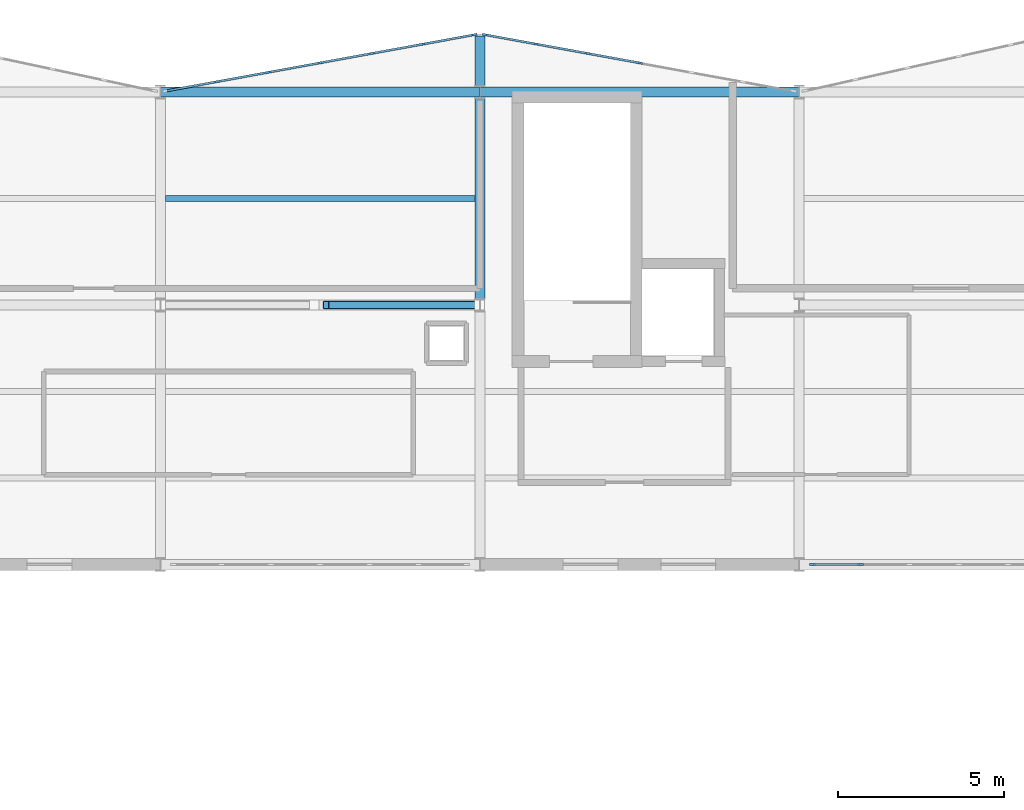
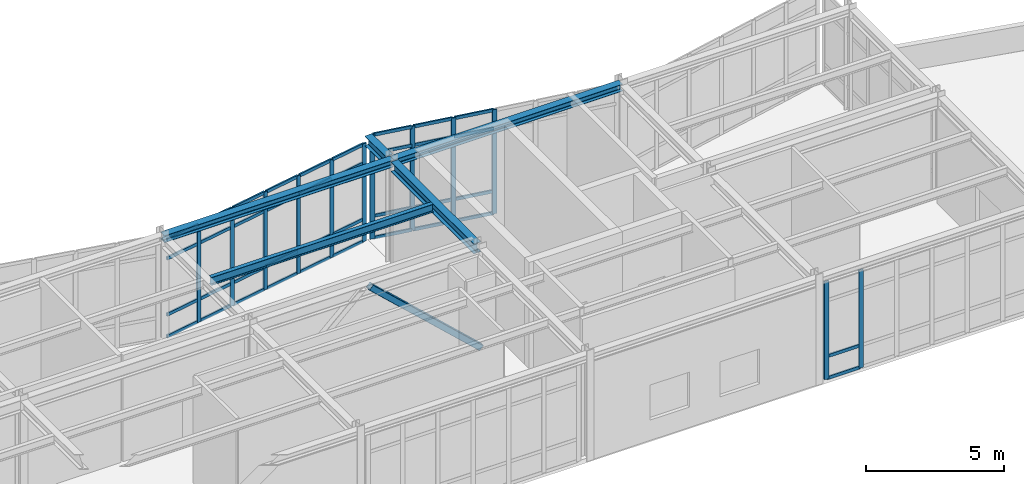
# One storey, part 13 of 28: 51 members, 5 beams, 3 elements without a shape of their own.
"""IFC4 building model written with IfcOpenShell, lengths in metres."""

from ifc_helpers import new_model, si_unit, direction, frame, origin, origin_2d, place, context, subcontext, project, spatial, rectangle, hollow_rectangle, i_section, extrude, material, layer, layer_set, material_profile, profile_set, type_object, element, aggregate, save


model = new_model("IFC4")

# Units and contexts
model_context = context("Model", 3, precision=1e-05, world=origin(), true_north=direction((0.0, 1.0)))
body_context = subcontext(model_context, "Body", "Model", "MODEL_VIEW")
ifc_project = project(units=[si_unit("LENGTHUNIT", "METRE"), si_unit("AREAUNIT", "SQUARE_METRE"), si_unit("VOLUMEUNIT", "CUBIC_METRE"), si_unit("PLANEANGLEUNIT", "RADIAN"), si_unit("MASSUNIT", "GRAM", prefix="KILO")], contexts=[model_context])

# Site, building, storey
site_placement = place(None, origin())
site = spatial("IfcSite", under=ifc_project, at=site_placement, CompositionType="ELEMENT")
building_placement = place(site_placement, origin())
building = spatial("IfcBuilding", under=site, at=building_placement, Name="Nordkorset Police Headquarters", CompositionType="ELEMENT")
storey_placement = place(building_placement, frame((0.0, 0.0, 26.25)))
storey = spatial("IfcBuildingStorey", under=building, at=storey_placement, Name="L06", CompositionType="ELEMENT", Elevation=26.25)

# Beam
ifc_material_1 = material(Name="Steel S355J2", Category="steel")
ifc_material_profile_1 = material_profile(ifc_material_1, i_section(OverallWidth=0.169921875, OverallDepth=0.360107421875, WebThickness=0.008056640625, FlangeThickness=0.0126953125, FilletRadius=0.01806640625, at=origin_2d()), Name="IPE 360")
ifc_profile_set_1 = profile_set([ifc_material_profile_1], Name="Steel S355J2")
beam_type_1 = type_object("IfcBeamType", Name="Beam_IPE_360", PredefinedType="BEAM", material=ifc_profile_set_1)
beam_1_placement = place(storey_placement, frame((48.14990234375, 113.60009765625, 4.485107421875), z_axis=(1.0, 0.0, 0.0), x_axis=(0.0, 1.0, 0.0)))
element("IfcBeam", 1, at=beam_1_placement, inside=storey, type_object=beam_type_1, Name="Composite Floor Beam V2 L06 2-1-1", PredefinedType="BEAM", context=body_context, shape_type="SweptSolid", body=[
    extrude(i_section(OverallWidth=0.169921875, OverallDepth=0.360107421875, WebThickness=0.008056640625, FlangeThickness=0.0126953125, FilletRadius=0.01806640625, at=origin_2d()), origin(), (0.0, 0.0, 1.0), 9.300048828125),
])

# Member
ifc_material_2 = material(Name="Steel S355J2", Category="steel")
ifc_material_profile_2 = material_profile(ifc_material_2, hollow_rectangle(XDim=0.25, YDim=0.25, WallThickness=0.012451171875, InnerFilletRadius=0.012451171875, OuterFilletRadius=0.02490234375, at=origin_2d()), Name="SHS 250x250x12.5")
ifc_profile_set_2 = profile_set([ifc_material_profile_2], Name="Steel S355J2")
member_type_1 = type_object("IfcMemberType", Name="Brace_SHS_250x250x12.5", PredefinedType="BRACE", material=ifc_profile_set_2)
member_1_placement = place(storey_placement, frame((57.59326171875, 110.39990234375, 0.199951171875), z_axis=(-0.732296395085, 0.0, 0.680986042254), x_axis=(0.0, -1.0, 0.0)))
element("IfcMember", 2, at=member_1_placement, inside=storey, type_object=member_type_1, Name="Lateral Chevron Brace BF-V2-A L06 D2", PredefinedType="BRACE", context=body_context, shape_type="SweptSolid", body=[
    extrude(hollow_rectangle(XDim=0.25, YDim=0.25, WallThickness=0.012451171875, InnerFilletRadius=0.012451171875, OuterFilletRadius=0.02490234375, at=origin_2d()), origin(), (0.0, 0.0, 1.0), 6.2998046875),
])

# Curtain wall, members
ifc_material_3 = material(Name="Aluminium alloy AW-6060", Category="aluminium")
ifc_layer_1 = layer(ifc_material_3, 0.179931640625, Name="Aluminium alloy AW-6060")
ifc_layer_set_1 = layer_set([ifc_layer_1], Name="Aluminium alloy AW-6060")
curtain_wall_type_1 = type_object("IfcCurtainWallType", Name="CW_Unit_948x434", PredefinedType="USERDEFINED", material=ifc_layer_set_1)
curtain_wall_1_placement = place(storey_placement, origin())
curtain_wall_1 = element("IfcCurtainWall", 3, at=curtain_wall_1_placement, inside=storey, type_object=curtain_wall_type_1, Name="Unitised Curtain Wall L06 V2N-2", ObjectType="UNITISED CURTAIN WALL", PredefinedType="USERDEFINED")
ifc_material_4 = material(Name="Aluminium alloy AW-6060", Category="aluminium")
ifc_material_profile_3 = material_profile(ifc_material_4, rectangle(XDim=0.06494140625, YDim=0.179931640625, at=origin_2d()), Name="ALU MULL 65x180")
ifc_profile_set_3 = profile_set([ifc_material_profile_3], Name="Aluminium alloy AW-6060")
member_type_2 = type_object("IfcMemberType", Name="CW_Mullion_65x180", PredefinedType="MULLION", material=ifc_profile_set_3)
member_2_placement = place(storey_placement, frame((49.69189453125, 117.1083984375, 0.0), z_axis=(0.0, 0.0, 1.0), x_axis=(-0.179335715876, 0.983787934979, 0.0)))
member_2 = element("IfcMember", 4, at=member_2_placement, type_object=member_type_2, Name="CW-55 mullion 2", PredefinedType="MULLION", context=body_context, shape_type="SweptSolid", body=[
    extrude(rectangle(XDim=0.06494140625, YDim=0.179931640625, at=origin_2d()), origin(), (0.0, 0.0, 1.0), 4.3349609375),
])
member_3_placement = place(storey_placement, frame((51.245849609375, 117.3916015625, 0.0), z_axis=(0.0, 0.0, 1.0), x_axis=(-0.179335715876, 0.983787934979, 0.0)))
member_3 = element("IfcMember", 5, at=member_3_placement, type_object=member_type_2, Name="CW-55 mullion 3", PredefinedType="MULLION", context=body_context, shape_type="SweptSolid", body=[
    extrude(rectangle(XDim=0.06494140625, YDim=0.179931640625, at=origin_2d()), origin(), (0.0, 0.0, 1.0), 4.3349609375),
])
member_4_placement = place(storey_placement, frame((52.800048828125, 117.675048828125, 0.0), z_axis=(0.0, 0.0, 1.0), x_axis=(-0.179335715876, 0.983787934979, 0.0)))
member_4 = element("IfcMember", 6, at=member_4_placement, type_object=member_type_2, Name="CW-55 mullion 4", PredefinedType="MULLION", context=body_context, shape_type="SweptSolid", body=[
    extrude(rectangle(XDim=0.06494140625, YDim=0.179931640625, at=origin_2d()), origin(), (0.0, 0.0, 1.0), 4.3349609375),
])
member_5_placement = place(storey_placement, frame((54.35400390625, 117.958251953125, 0.0), z_axis=(0.0, 0.0, 1.0), x_axis=(-0.179335715876, 0.983787934979, 0.0)))
member_5 = element("IfcMember", 7, at=member_5_placement, type_object=member_type_2, Name="CW-55 mullion 5", PredefinedType="MULLION", context=body_context, shape_type="SweptSolid", body=[
    extrude(rectangle(XDim=0.06494140625, YDim=0.179931640625, at=origin_2d()), origin(), (0.0, 0.0, 1.0), 4.3349609375),
])
member_6_placement = place(storey_placement, frame((55.908203125, 118.24169921875, 0.0), z_axis=(0.0, 0.0, 1.0), x_axis=(-0.179335715876, 0.983787934979, 0.0)))
member_6 = element("IfcMember", 8, at=member_6_placement, type_object=member_type_2, Name="CW-55 mullion 6", PredefinedType="MULLION", context=body_context, shape_type="SweptSolid", body=[
    extrude(rectangle(XDim=0.06494140625, YDim=0.179931640625, at=origin_2d()), origin(), (0.0, 0.0, 1.0), 4.3349609375),
])
member_7_placement = place(storey_placement, frame((57.43017578125, 118.51904296875, 0.0), z_axis=(0.0, 0.0, 1.0), x_axis=(-0.179335715876, 0.983787934979, 0.0)))
member_7 = element("IfcMember", 9, at=member_7_placement, type_object=member_type_2, Name="CW-55 mullion 7", PredefinedType="MULLION", context=body_context, shape_type="SweptSolid", body=[
    extrude(rectangle(XDim=0.06494140625, YDim=0.179931640625, at=origin_2d()), origin(), (0.0, 0.0, 1.0), 4.3349609375),
])

ifc_material_5 = material(Name="Aluminium alloy AW-6060", Category="aluminium")
ifc_layer_2 = layer(ifc_material_5, 0.179931640625, Name="Aluminium alloy AW-6060")
ifc_layer_set_2 = layer_set([ifc_layer_2], Name="Aluminium alloy AW-6060")
curtain_wall_type_2 = type_object("IfcCurtainWallType", Name="CW_Unit_948x462", PredefinedType="USERDEFINED", material=ifc_layer_set_2)
curtain_wall_2_placement = place(storey_placement, origin())
curtain_wall_2 = element("IfcCurtainWall", 10, at=curtain_wall_2_placement, inside=storey, type_object=curtain_wall_type_2, Name="Unitised Curtain Wall L06 V2N-3", ObjectType="UNITISED CURTAIN WALL", PredefinedType="USERDEFINED")
member_8_placement = place(storey_placement, frame((57.769775390625, 118.51904296875, 0.0), z_axis=(0.0, 0.0, 1.0), x_axis=(0.179335715876, 0.983787934979, 0.0)))
member_8 = element("IfcMember", 11, at=member_8_placement, type_object=member_type_2, Name="CW-98 mullion 1", PredefinedType="MULLION", context=body_context, shape_type="SweptSolid", body=[
    extrude(rectangle(XDim=0.06494140625, YDim=0.179931640625, at=origin_2d()), origin(), (0.0, 0.0, 1.0), 4.6201171875),
])
member_9_placement = place(storey_placement, frame((59.291748046875, 118.24169921875, 0.0), z_axis=(0.0, 0.0, 1.0), x_axis=(0.179335715876, 0.983787934979, 0.0)))
member_9 = element("IfcMember", 12, at=member_9_placement, type_object=member_type_2, Name="CW-98 mullion 2", PredefinedType="MULLION", context=body_context, shape_type="SweptSolid", body=[
    extrude(rectangle(XDim=0.06494140625, YDim=0.179931640625, at=origin_2d()), origin(), (0.0, 0.0, 1.0), 4.6201171875),
])
member_10_placement = place(storey_placement, frame((60.845947265625, 117.958251953125, 0.0), z_axis=(0.0, 0.0, 1.0), x_axis=(0.179335715876, 0.983787934979, 0.0)))
member_10 = element("IfcMember", 13, at=member_10_placement, type_object=member_type_2, Name="CW-98 mullion 3", PredefinedType="MULLION", context=body_context, shape_type="SweptSolid", body=[
    extrude(rectangle(XDim=0.06494140625, YDim=0.179931640625, at=origin_2d()), origin(), (0.0, 0.0, 1.0), 4.6201171875),
])
member_11_placement = place(storey_placement, frame((62.39990234375, 117.675048828125, 0.0), z_axis=(0.0, 0.0, 1.0), x_axis=(0.179335715876, 0.983787934979, 0.0)))
member_11 = element("IfcMember", 14, at=member_11_placement, type_object=member_type_2, Name="CW-98 mullion 4", PredefinedType="MULLION", context=body_context, shape_type="SweptSolid", body=[
    extrude(rectangle(XDim=0.06494140625, YDim=0.179931640625, at=origin_2d()), origin(), (0.0, 0.0, 1.0), 4.6201171875),
])

ifc_material_6 = material(Name="Aluminium alloy AW-6060", Category="aluminium")
ifc_layer_3 = layer(ifc_material_6, 0.179931640625, Name="Aluminium alloy AW-6060")
ifc_layer_set_3 = layer_set([ifc_layer_3], Name="Aluminium alloy AW-6060")
curtain_wall_type_3 = type_object("IfcCurtainWallType", Name="CW_Unit_888x434", PredefinedType="USERDEFINED", material=ifc_layer_set_3)
curtain_wall_3_placement = place(storey_placement, origin())
curtain_wall_3 = element("IfcCurtainWall", 15, at=curtain_wall_3_placement, inside=storey, type_object=curtain_wall_type_3, Name="Unitised Curtain Wall L06 V2S-4", ObjectType="UNITISED CURTAIN WALL", PredefinedType="USERDEFINED")
member_12_placement = place(storey_placement, frame((67.592529296875, 102.60009765625, 0.0), z_axis=(0.0, 0.0, 1.0), x_axis=(0.0, 1.0, 0.0)))
member_12 = element("IfcMember", 16, at=member_12_placement, type_object=member_type_2, Name="CW-74 mullion 1", PredefinedType="MULLION", context=body_context, shape_type="SweptSolid", body=[
    extrude(rectangle(XDim=0.06494140625, YDim=0.179931640625, at=origin_2d()), origin(), (0.0, 0.0, 1.0), 4.3349609375),
])
member_13_placement = place(storey_placement, frame((69.0400390625, 102.60009765625, 0.0), z_axis=(0.0, 0.0, 1.0), x_axis=(0.0, 1.0, 0.0)))
member_13 = element("IfcMember", 17, at=member_13_placement, type_object=member_type_2, Name="CW-74 mullion 2", PredefinedType="MULLION", context=body_context, shape_type="SweptSolid", body=[
    extrude(rectangle(XDim=0.06494140625, YDim=0.179931640625, at=origin_2d()), origin(), (0.0, 0.0, 1.0), 4.3349609375),
])

# Member
ifc_material_7 = material(Name="Aluminium alloy AW-6060", Category="aluminium")
ifc_material_profile_4 = material_profile(ifc_material_7, rectangle(XDim=0.06494140625, YDim=0.139892578125, at=origin_2d()), Name="ALU TRAN 65x140")
ifc_profile_set_4 = profile_set([ifc_material_profile_4], Name="Aluminium alloy AW-6060")
member_type_3 = type_object("IfcMemberType", Name="CW_Transom_65x140", PredefinedType="USERDEFINED", material=ifc_profile_set_4)
member_14_placement = place(storey_placement, frame((48.20166015625, 116.836669921875, 0.032470703125), z_axis=(0.98378282961, 0.179363720316, 0.0), x_axis=(-0.179363720316, 0.98378282961, 0.0)))
member_14 = element("IfcMember", 18, at=member_14_placement, type_object=member_type_3, Name="CW-55 transom 1.1", ObjectType="TRANSOM", PredefinedType="USERDEFINED", context=body_context, shape_type="SweptSolid", body=[
    extrude(rectangle(XDim=0.06494140625, YDim=0.139892578125, at=origin_2d()), origin(), (0.0, 0.0, 1.0), 1.482177734375),
])

member_15_placement = place(storey_placement, frame((48.20166015625, 116.836669921875, 1.0), z_axis=(0.98378282961, 0.179363720316, 0.0), x_axis=(-0.179363720316, 0.98378282961, 0.0)))
member_15 = element("IfcMember", 19, at=member_15_placement, type_object=member_type_3, Name="CW-55 transom 1.2", ObjectType="TRANSOM", PredefinedType="USERDEFINED", context=body_context, shape_type="SweptSolid", body=[
    extrude(rectangle(XDim=0.06494140625, YDim=0.139892578125, at=origin_2d()), origin(), (0.0, 0.0, 1.0), 1.482177734375),
])

member_16_placement = place(storey_placement, frame((48.20166015625, 116.836669921875, 3.485107421875), z_axis=(0.98378282961, 0.179363720316, 0.0), x_axis=(-0.179363720316, 0.98378282961, 0.0)))
member_16 = element("IfcMember", 20, at=member_16_placement, type_object=member_type_3, Name="CW-55 transom 1.3", ObjectType="TRANSOM", PredefinedType="USERDEFINED", context=body_context, shape_type="SweptSolid", body=[
    extrude(rectangle(XDim=0.06494140625, YDim=0.139892578125, at=origin_2d()), origin(), (0.0, 0.0, 1.0), 1.482177734375),
])

member_17_placement = place(storey_placement, frame((48.20166015625, 116.836669921875, 4.302490234375), z_axis=(0.98378282961, 0.179363720316, 0.0), x_axis=(-0.179363720316, 0.98378282961, 0.0)))
member_17 = element("IfcMember", 21, at=member_17_placement, type_object=member_type_3, Name="CW-55 transom 1.4", ObjectType="TRANSOM", PredefinedType="USERDEFINED", context=body_context, shape_type="SweptSolid", body=[
    extrude(rectangle(XDim=0.06494140625, YDim=0.139892578125, at=origin_2d()), origin(), (0.0, 0.0, 1.0), 1.482177734375),
])

member_18_placement = place(storey_placement, frame((49.723876953125, 117.1142578125, 0.032470703125), z_axis=(0.983774342545, 0.179410264338, 0.0), x_axis=(-0.179410264338, 0.983774342545, 0.0)))
member_18 = element("IfcMember", 22, at=member_18_placement, type_object=member_type_3, Name="CW-55 transom 2.1", ObjectType="TRANSOM", PredefinedType="USERDEFINED", context=body_context, shape_type="SweptSolid", body=[
    extrude(rectangle(XDim=0.06494140625, YDim=0.139892578125, at=origin_2d()), origin(), (0.0, 0.0, 1.0), 1.5146484375),
])

member_19_placement = place(storey_placement, frame((49.723876953125, 117.1142578125, 1.0), z_axis=(0.983774342545, 0.179410264338, 0.0), x_axis=(-0.179410264338, 0.983774342545, 0.0)))
member_19 = element("IfcMember", 23, at=member_19_placement, type_object=member_type_3, Name="CW-55 transom 2.2", ObjectType="TRANSOM", PredefinedType="USERDEFINED", context=body_context, shape_type="SweptSolid", body=[
    extrude(rectangle(XDim=0.06494140625, YDim=0.139892578125, at=origin_2d()), origin(), (0.0, 0.0, 1.0), 1.5146484375),
])

member_20_placement = place(storey_placement, frame((49.723876953125, 117.1142578125, 3.485107421875), z_axis=(0.983774342545, 0.179410264338, 0.0), x_axis=(-0.179410264338, 0.983774342545, 0.0)))
member_20 = element("IfcMember", 24, at=member_20_placement, type_object=member_type_3, Name="CW-55 transom 2.3", ObjectType="TRANSOM", PredefinedType="USERDEFINED", context=body_context, shape_type="SweptSolid", body=[
    extrude(rectangle(XDim=0.06494140625, YDim=0.139892578125, at=origin_2d()), origin(), (0.0, 0.0, 1.0), 1.5146484375),
])

member_21_placement = place(storey_placement, frame((49.723876953125, 117.1142578125, 4.302490234375), z_axis=(0.983774342545, 0.179410264338, 0.0), x_axis=(-0.179410264338, 0.983774342545, 0.0)))
member_21 = element("IfcMember", 25, at=member_21_placement, type_object=member_type_3, Name="CW-55 transom 2.4", ObjectType="TRANSOM", PredefinedType="USERDEFINED", context=body_context, shape_type="SweptSolid", body=[
    extrude(rectangle(XDim=0.06494140625, YDim=0.139892578125, at=origin_2d()), origin(), (0.0, 0.0, 1.0), 1.5146484375),
])

member_22_placement = place(storey_placement, frame((51.27783203125, 117.3974609375, 0.032470703125), z_axis=(0.983779529869, 0.179381817946, 0.0), x_axis=(-0.179381817946, 0.983779529869, 0.0)))
member_22 = element("IfcMember", 26, at=member_22_placement, type_object=member_type_3, Name="CW-55 transom 3.1", ObjectType="TRANSOM", PredefinedType="USERDEFINED", context=body_context, shape_type="SweptSolid", body=[
    extrude(rectangle(XDim=0.06494140625, YDim=0.139892578125, at=origin_2d()), origin(), (0.0, 0.0, 1.0), 1.514892578125),
])

member_23_placement = place(storey_placement, frame((51.27783203125, 117.3974609375, 1.0), z_axis=(0.983779529869, 0.179381817946, 0.0), x_axis=(-0.179381817946, 0.983779529869, 0.0)))
member_23 = element("IfcMember", 27, at=member_23_placement, type_object=member_type_3, Name="CW-55 transom 3.2", ObjectType="TRANSOM", PredefinedType="USERDEFINED", context=body_context, shape_type="SweptSolid", body=[
    extrude(rectangle(XDim=0.06494140625, YDim=0.139892578125, at=origin_2d()), origin(), (0.0, 0.0, 1.0), 1.514892578125),
])

member_24_placement = place(storey_placement, frame((51.27783203125, 117.3974609375, 3.485107421875), z_axis=(0.983779529869, 0.179381817946, 0.0), x_axis=(-0.179381817946, 0.983779529869, 0.0)))
member_24 = element("IfcMember", 28, at=member_24_placement, type_object=member_type_3, Name="CW-55 transom 3.3", ObjectType="TRANSOM", PredefinedType="USERDEFINED", context=body_context, shape_type="SweptSolid", body=[
    extrude(rectangle(XDim=0.06494140625, YDim=0.139892578125, at=origin_2d()), origin(), (0.0, 0.0, 1.0), 1.514892578125),
])

member_25_placement = place(storey_placement, frame((51.27783203125, 117.3974609375, 4.302490234375), z_axis=(0.983779529869, 0.179381817946, 0.0), x_axis=(-0.179381817946, 0.983779529869, 0.0)))
member_25 = element("IfcMember", 29, at=member_25_placement, type_object=member_type_3, Name="CW-55 transom 3.4", ObjectType="TRANSOM", PredefinedType="USERDEFINED", context=body_context, shape_type="SweptSolid", body=[
    extrude(rectangle(XDim=0.06494140625, YDim=0.139892578125, at=origin_2d()), origin(), (0.0, 0.0, 1.0), 1.514892578125),
])

member_26_placement = place(storey_placement, frame((52.83203125, 117.680908203125, 0.032470703125), z_axis=(0.983802781825, 0.179254250924, 0.0), x_axis=(-0.179254250924, 0.983802781825, 0.0)))
member_26 = element("IfcMember", 30, at=member_26_placement, type_object=member_type_3, Name="CW-55 transom 4.1", ObjectType="TRANSOM", PredefinedType="USERDEFINED", context=body_context, shape_type="SweptSolid", body=[
    extrude(rectangle(XDim=0.06494140625, YDim=0.139892578125, at=origin_2d()), origin(), (0.0, 0.0, 1.0), 1.514404296875),
])

member_27_placement = place(storey_placement, frame((52.83203125, 117.680908203125, 1.0), z_axis=(0.983802781825, 0.179254250924, 0.0), x_axis=(-0.179254250924, 0.983802781825, 0.0)))
member_27 = element("IfcMember", 31, at=member_27_placement, type_object=member_type_3, Name="CW-55 transom 4.2", ObjectType="TRANSOM", PredefinedType="USERDEFINED", context=body_context, shape_type="SweptSolid", body=[
    extrude(rectangle(XDim=0.06494140625, YDim=0.139892578125, at=origin_2d()), origin(), (0.0, 0.0, 1.0), 1.514404296875),
])

member_28_placement = place(storey_placement, frame((52.83203125, 117.680908203125, 3.485107421875), z_axis=(0.983802781825, 0.179254250924, 0.0), x_axis=(-0.179254250924, 0.983802781825, 0.0)))
member_28 = element("IfcMember", 32, at=member_28_placement, type_object=member_type_3, Name="CW-55 transom 4.3", ObjectType="TRANSOM", PredefinedType="USERDEFINED", context=body_context, shape_type="SweptSolid", body=[
    extrude(rectangle(XDim=0.06494140625, YDim=0.139892578125, at=origin_2d()), origin(), (0.0, 0.0, 1.0), 1.514404296875),
])

member_29_placement = place(storey_placement, frame((52.83203125, 117.680908203125, 4.302490234375), z_axis=(0.983802781825, 0.179254250924, 0.0), x_axis=(-0.179254250924, 0.983802781825, 0.0)))
member_29 = element("IfcMember", 33, at=member_29_placement, type_object=member_type_3, Name="CW-55 transom 4.4", ObjectType="TRANSOM", PredefinedType="USERDEFINED", context=body_context, shape_type="SweptSolid", body=[
    extrude(rectangle(XDim=0.06494140625, YDim=0.139892578125, at=origin_2d()), origin(), (0.0, 0.0, 1.0), 1.514404296875),
])

member_30_placement = place(storey_placement, frame((54.385986328125, 117.964111328125, 0.032470703125), z_axis=(0.983779529869, 0.179381817946, 0.0), x_axis=(-0.179381817946, 0.983779529869, 0.0)))
member_30 = element("IfcMember", 34, at=member_30_placement, type_object=member_type_3, Name="CW-55 transom 5.1", ObjectType="TRANSOM", PredefinedType="USERDEFINED", context=body_context, shape_type="SweptSolid", body=[
    extrude(rectangle(XDim=0.06494140625, YDim=0.139892578125, at=origin_2d()), origin(), (0.0, 0.0, 1.0), 1.514892578125),
])

member_31_placement = place(storey_placement, frame((54.385986328125, 117.964111328125, 1.0), z_axis=(0.983779529869, 0.179381817946, 0.0), x_axis=(-0.179381817946, 0.983779529869, 0.0)))
member_31 = element("IfcMember", 35, at=member_31_placement, type_object=member_type_3, Name="CW-55 transom 5.2", ObjectType="TRANSOM", PredefinedType="USERDEFINED", context=body_context, shape_type="SweptSolid", body=[
    extrude(rectangle(XDim=0.06494140625, YDim=0.139892578125, at=origin_2d()), origin(), (0.0, 0.0, 1.0), 1.514892578125),
])

member_32_placement = place(storey_placement, frame((54.385986328125, 117.964111328125, 3.485107421875), z_axis=(0.983779529869, 0.179381817946, 0.0), x_axis=(-0.179381817946, 0.983779529869, 0.0)))
member_32 = element("IfcMember", 36, at=member_32_placement, type_object=member_type_3, Name="CW-55 transom 5.3", ObjectType="TRANSOM", PredefinedType="USERDEFINED", context=body_context, shape_type="SweptSolid", body=[
    extrude(rectangle(XDim=0.06494140625, YDim=0.139892578125, at=origin_2d()), origin(), (0.0, 0.0, 1.0), 1.514892578125),
])

member_33_placement = place(storey_placement, frame((54.385986328125, 117.964111328125, 4.302490234375), z_axis=(0.983779529869, 0.179381817946, 0.0), x_axis=(-0.179381817946, 0.983779529869, 0.0)))
member_33 = element("IfcMember", 37, at=member_33_placement, type_object=member_type_3, Name="CW-55 transom 5.4", ObjectType="TRANSOM", PredefinedType="USERDEFINED", context=body_context, shape_type="SweptSolid", body=[
    extrude(rectangle(XDim=0.06494140625, YDim=0.139892578125, at=origin_2d()), origin(), (0.0, 0.0, 1.0), 1.514892578125),
])

member_34_placement = place(storey_placement, frame((55.940185546875, 118.247314453125, 0.032470703125), z_axis=(0.98378282961, 0.179363720316, 0.0), x_axis=(-0.179363720316, 0.98378282961, 0.0)))
member_34 = element("IfcMember", 38, at=member_34_placement, type_object=member_type_3, Name="CW-55 transom 6.1", ObjectType="TRANSOM", PredefinedType="USERDEFINED", context=body_context, shape_type="SweptSolid", body=[
    extrude(rectangle(XDim=0.06494140625, YDim=0.139892578125, at=origin_2d()), origin(), (0.0, 0.0, 1.0), 1.482177734375),
])

member_35_placement = place(storey_placement, frame((55.940185546875, 118.247314453125, 1.0), z_axis=(0.98378282961, 0.179363720316, 0.0), x_axis=(-0.179363720316, 0.98378282961, 0.0)))
member_35 = element("IfcMember", 39, at=member_35_placement, type_object=member_type_3, Name="CW-55 transom 6.2", ObjectType="TRANSOM", PredefinedType="USERDEFINED", context=body_context, shape_type="SweptSolid", body=[
    extrude(rectangle(XDim=0.06494140625, YDim=0.139892578125, at=origin_2d()), origin(), (0.0, 0.0, 1.0), 1.482177734375),
])

member_36_placement = place(storey_placement, frame((55.940185546875, 118.247314453125, 3.485107421875), z_axis=(0.98378282961, 0.179363720316, 0.0), x_axis=(-0.179363720316, 0.98378282961, 0.0)))
member_36 = element("IfcMember", 40, at=member_36_placement, type_object=member_type_3, Name="CW-55 transom 6.3", ObjectType="TRANSOM", PredefinedType="USERDEFINED", context=body_context, shape_type="SweptSolid", body=[
    extrude(rectangle(XDim=0.06494140625, YDim=0.139892578125, at=origin_2d()), origin(), (0.0, 0.0, 1.0), 1.482177734375),
])

member_37_placement = place(storey_placement, frame((55.940185546875, 118.247314453125, 4.302490234375), z_axis=(0.98378282961, 0.179363720316, 0.0), x_axis=(-0.179363720316, 0.98378282961, 0.0)))
member_37 = element("IfcMember", 41, at=member_37_placement, type_object=member_type_3, Name="CW-55 transom 6.4", ObjectType="TRANSOM", PredefinedType="USERDEFINED", context=body_context, shape_type="SweptSolid", body=[
    extrude(rectangle(XDim=0.06494140625, YDim=0.139892578125, at=origin_2d()), origin(), (0.0, 0.0, 1.0), 1.482177734375),
])

aggregate(curtain_wall_1, [member_2, member_3, member_4, member_5, member_6, member_7, member_14, member_15, member_16, member_17, member_18, member_19, member_20, member_21, member_22, member_23, member_24, member_25, member_26, member_27, member_28, member_29, member_30, member_31, member_32, member_33, member_34, member_35, member_36, member_37])

member_38_placement = place(storey_placement, frame((57.8017578125, 118.51318359375, 0.032470703125), z_axis=(0.983777529541, -0.179392787955, 0.0), x_axis=(0.179392787955, 0.983777529541, 0.0)))
member_38 = element("IfcMember", 42, at=member_38_placement, type_object=member_type_3, Name="CW-98 transom 1.1", ObjectType="TRANSOM", PredefinedType="USERDEFINED", context=body_context, shape_type="SweptSolid", body=[
    extrude(rectangle(XDim=0.06494140625, YDim=0.139892578125, at=origin_2d()), origin(), (0.0, 0.0, 1.0), 1.48193359375),
])

member_39_placement = place(storey_placement, frame((57.8017578125, 118.51318359375, 1.0), z_axis=(0.983777529541, -0.179392787955, 0.0), x_axis=(0.179392787955, 0.983777529541, 0.0)))
member_39 = element("IfcMember", 43, at=member_39_placement, type_object=member_type_3, Name="CW-98 transom 1.2", ObjectType="TRANSOM", PredefinedType="USERDEFINED", context=body_context, shape_type="SweptSolid", body=[
    extrude(rectangle(XDim=0.06494140625, YDim=0.139892578125, at=origin_2d()), origin(), (0.0, 0.0, 1.0), 1.48193359375),
])

member_40_placement = place(storey_placement, frame((57.8017578125, 118.51318359375, 3.77001953125), z_axis=(0.983777529541, -0.179392787955, 0.0), x_axis=(0.179392787955, 0.983777529541, 0.0)))
member_40 = element("IfcMember", 44, at=member_40_placement, type_object=member_type_3, Name="CW-98 transom 1.3", ObjectType="TRANSOM", PredefinedType="USERDEFINED", context=body_context, shape_type="SweptSolid", body=[
    extrude(rectangle(XDim=0.06494140625, YDim=0.139892578125, at=origin_2d()), origin(), (0.0, 0.0, 1.0), 1.48193359375),
])

member_41_placement = place(storey_placement, frame((57.8017578125, 118.51318359375, 4.58740234375), z_axis=(0.983777529541, -0.179392787955, 0.0), x_axis=(0.179392787955, 0.983777529541, 0.0)))
member_41 = element("IfcMember", 45, at=member_41_placement, type_object=member_type_3, Name="CW-98 transom 1.4", ObjectType="TRANSOM", PredefinedType="USERDEFINED", context=body_context, shape_type="SweptSolid", body=[
    extrude(rectangle(XDim=0.06494140625, YDim=0.139892578125, at=origin_2d()), origin(), (0.0, 0.0, 1.0), 1.48193359375),
])

member_42_placement = place(storey_placement, frame((59.32373046875, 118.23583984375, 0.032470703125), z_axis=(0.983779529869, -0.179381817946, 0.0), x_axis=(0.179381817946, 0.983779529869, 0.0)))
member_42 = element("IfcMember", 46, at=member_42_placement, type_object=member_type_3, Name="CW-98 transom 2.1", ObjectType="TRANSOM", PredefinedType="USERDEFINED", context=body_context, shape_type="SweptSolid", body=[
    extrude(rectangle(XDim=0.06494140625, YDim=0.139892578125, at=origin_2d()), origin(), (0.0, 0.0, 1.0), 1.514892578125),
])

member_43_placement = place(storey_placement, frame((59.32373046875, 118.23583984375, 1.0), z_axis=(0.983779529869, -0.179381817946, 0.0), x_axis=(0.179381817946, 0.983779529869, 0.0)))
member_43 = element("IfcMember", 47, at=member_43_placement, type_object=member_type_3, Name="CW-98 transom 2.2", ObjectType="TRANSOM", PredefinedType="USERDEFINED", context=body_context, shape_type="SweptSolid", body=[
    extrude(rectangle(XDim=0.06494140625, YDim=0.139892578125, at=origin_2d()), origin(), (0.0, 0.0, 1.0), 1.514892578125),
])

member_44_placement = place(storey_placement, frame((59.32373046875, 118.23583984375, 3.77001953125), z_axis=(0.983779529869, -0.179381817946, 0.0), x_axis=(0.179381817946, 0.983779529869, 0.0)))
member_44 = element("IfcMember", 48, at=member_44_placement, type_object=member_type_3, Name="CW-98 transom 2.3", ObjectType="TRANSOM", PredefinedType="USERDEFINED", context=body_context, shape_type="SweptSolid", body=[
    extrude(rectangle(XDim=0.06494140625, YDim=0.139892578125, at=origin_2d()), origin(), (0.0, 0.0, 1.0), 1.514892578125),
])

member_45_placement = place(storey_placement, frame((59.32373046875, 118.23583984375, 4.58740234375), z_axis=(0.983779529869, -0.179381817946, 0.0), x_axis=(0.179381817946, 0.983779529869, 0.0)))
member_45 = element("IfcMember", 49, at=member_45_placement, type_object=member_type_3, Name="CW-98 transom 2.4", ObjectType="TRANSOM", PredefinedType="USERDEFINED", context=body_context, shape_type="SweptSolid", body=[
    extrude(rectangle(XDim=0.06494140625, YDim=0.139892578125, at=origin_2d()), origin(), (0.0, 0.0, 1.0), 1.514892578125),
])

member_46_placement = place(storey_placement, frame((60.8779296875, 117.952392578125, 0.032470703125), z_axis=(0.983802781825, -0.179254250924, 0.0), x_axis=(0.179254250924, 0.983802781825, 0.0)))
member_46 = element("IfcMember", 50, at=member_46_placement, type_object=member_type_3, Name="CW-98 transom 3.1", ObjectType="TRANSOM", PredefinedType="USERDEFINED", context=body_context, shape_type="SweptSolid", body=[
    extrude(rectangle(XDim=0.06494140625, YDim=0.139892578125, at=origin_2d()), origin(), (0.0, 0.0, 1.0), 1.514404296875),
])

member_47_placement = place(storey_placement, frame((60.8779296875, 117.952392578125, 1.0), z_axis=(0.983802781825, -0.179254250924, 0.0), x_axis=(0.179254250924, 0.983802781825, 0.0)))
member_47 = element("IfcMember", 51, at=member_47_placement, type_object=member_type_3, Name="CW-98 transom 3.2", ObjectType="TRANSOM", PredefinedType="USERDEFINED", context=body_context, shape_type="SweptSolid", body=[
    extrude(rectangle(XDim=0.06494140625, YDim=0.139892578125, at=origin_2d()), origin(), (0.0, 0.0, 1.0), 1.514404296875),
])

member_48_placement = place(storey_placement, frame((60.8779296875, 117.952392578125, 3.77001953125), z_axis=(0.983802781825, -0.179254250924, 0.0), x_axis=(0.179254250924, 0.983802781825, 0.0)))
member_48 = element("IfcMember", 52, at=member_48_placement, type_object=member_type_3, Name="CW-98 transom 3.3", ObjectType="TRANSOM", PredefinedType="USERDEFINED", context=body_context, shape_type="SweptSolid", body=[
    extrude(rectangle(XDim=0.06494140625, YDim=0.139892578125, at=origin_2d()), origin(), (0.0, 0.0, 1.0), 1.514404296875),
])

member_49_placement = place(storey_placement, frame((60.8779296875, 117.952392578125, 4.58740234375), z_axis=(0.983802781825, -0.179254250924, 0.0), x_axis=(0.179254250924, 0.983802781825, 0.0)))
member_49 = element("IfcMember", 53, at=member_49_placement, type_object=member_type_3, Name="CW-98 transom 3.4", ObjectType="TRANSOM", PredefinedType="USERDEFINED", context=body_context, shape_type="SweptSolid", body=[
    extrude(rectangle(XDim=0.06494140625, YDim=0.139892578125, at=origin_2d()), origin(), (0.0, 0.0, 1.0), 1.514404296875),
])

aggregate(curtain_wall_2, [member_8, member_9, member_10, member_11, member_38, member_39, member_40, member_41, member_42, member_43, member_44, member_45, member_46, member_47, member_48, member_49])

member_50_placement = place(storey_placement, frame((67.625, 102.60009765625, 0.032470703125), z_axis=(1.0, 0.0, 0.0), x_axis=(0.0, 1.0, 0.0)))
member_50 = element("IfcMember", 54, at=member_50_placement, type_object=member_type_3, Name="CW-74 transom 1.1", ObjectType="TRANSOM", PredefinedType="USERDEFINED", context=body_context, shape_type="SweptSolid", body=[
    extrude(rectangle(XDim=0.06494140625, YDim=0.139892578125, at=origin_2d()), origin(), (0.0, 0.0, 1.0), 1.382568359375),
])

member_51_placement = place(storey_placement, frame((67.625, 102.60009765625, 1.0), z_axis=(1.0, 0.0, 0.0), x_axis=(0.0, 1.0, 0.0)))
member_51 = element("IfcMember", 55, at=member_51_placement, type_object=member_type_3, Name="CW-74 transom 1.2", ObjectType="TRANSOM", PredefinedType="USERDEFINED", context=body_context, shape_type="SweptSolid", body=[
    extrude(rectangle(XDim=0.06494140625, YDim=0.139892578125, at=origin_2d()), origin(), (0.0, 0.0, 1.0), 1.382568359375),
])

aggregate(curtain_wall_3, [member_12, member_13, member_50, member_51])

# Beams
ifc_material_8 = material(Name="Steel S355J2", Category="steel")
ifc_material_profile_5 = material_profile(ifc_material_8, i_section(OverallWidth=0.300048828125, OverallDepth=0.43994140625, WebThickness=0.011474609375, FlangeThickness=0.02099609375, FilletRadius=0.027099609375, at=origin_2d()), Name="HEA 450")
ifc_profile_set_5 = profile_set([ifc_material_profile_5], Name="Steel S355J2")
beam_type_2 = type_object("IfcBeamType", Name="Girder_HEA_450", PredefinedType="USERDEFINED", material=ifc_profile_set_5)
beam_2_placement = place(storey_placement, frame((57.60009765625, 110.60009765625, 4.445068359375), z_axis=(0.0, 1.0, 0.0), x_axis=(-1.0, 0.0, 0.0)))
element("IfcBeam", 56, at=beam_2_placement, inside=storey, type_object=beam_type_2, Name="Girder V2 L06 GY-3-1", ObjectType="GIRDER", PredefinedType="USERDEFINED", context=body_context, shape_type="SweptSolid", body=[
    extrude(i_section(OverallWidth=0.300048828125, OverallDepth=0.43994140625, WebThickness=0.011474609375, FlangeThickness=0.02099609375, FilletRadius=0.027099609375, at=origin_2d()), origin(), (0.0, 0.0, 1.0), 6.0),
])
beam_3_placement = place(storey_placement, frame((57.60009765625, 117.0, 4.445068359375), z_axis=(0.0, 1.0, 0.0), x_axis=(-1.0, 0.0, 0.0)))
element("IfcBeam", 57, at=beam_3_placement, inside=storey, type_object=beam_type_2, Name="Sawtooth Facade Outrigger V2 L06 57", ObjectType="GIRDER", PredefinedType="USERDEFINED", context=body_context, shape_type="SweptSolid", body=[
    extrude(i_section(OverallWidth=0.300048828125, OverallDepth=0.43994140625, WebThickness=0.011474609375, FlangeThickness=0.02099609375, FilletRadius=0.027099609375, at=origin_2d()), origin(), (0.0, 0.0, 1.0), 1.489990234375),
])
ifc_material_9 = material(Name="Steel S355J2", Category="steel")
ifc_material_profile_6 = material_profile(ifc_material_9, i_section(OverallWidth=0.300048828125, OverallDepth=0.31005859375, WebThickness=0.009033203125, FlangeThickness=0.015380859375, FilletRadius=0.027099609375, at=origin_2d()), Name="HEA 320")
ifc_profile_set_6 = profile_set([ifc_material_profile_6], Name="Steel S355J2")
beam_type_3 = type_object("IfcBeamType", Name="Spandrel_HEA_320", PredefinedType="SPANDREL", material=ifc_profile_set_6)
for number, where, z_axis, x_axis, name in (
    (58, (48.006591796875, 116.800048828125, 4.510009765625), (1.0, 0.0, 0.0), (0.0, 1.0, 0.0), "Girder V2 L06 GX-2-2"),
    (59, (57.606689453125, 116.800048828125, 4.510009765625), (1.0, 0.0, 0.0), (0.0, 1.0, 0.0), "Girder V2 L06 GX-2-3"),
):
    element("IfcBeam", number, at=place(storey_placement, frame(where, z_axis=z_axis, x_axis=x_axis)), inside=storey, type_object=beam_type_3, Name=name, PredefinedType="SPANDREL", context=body_context, shape_type="SweptSolid", body=[
        extrude(i_section(OverallWidth=0.300048828125, OverallDepth=0.31005859375, WebThickness=0.009033203125, FlangeThickness=0.015380859375, FilletRadius=0.027099609375, at=origin_2d()), origin(), (0.0, 0.0, 1.0), 9.586669921875),
    ])

save(model, "model.ifc")
